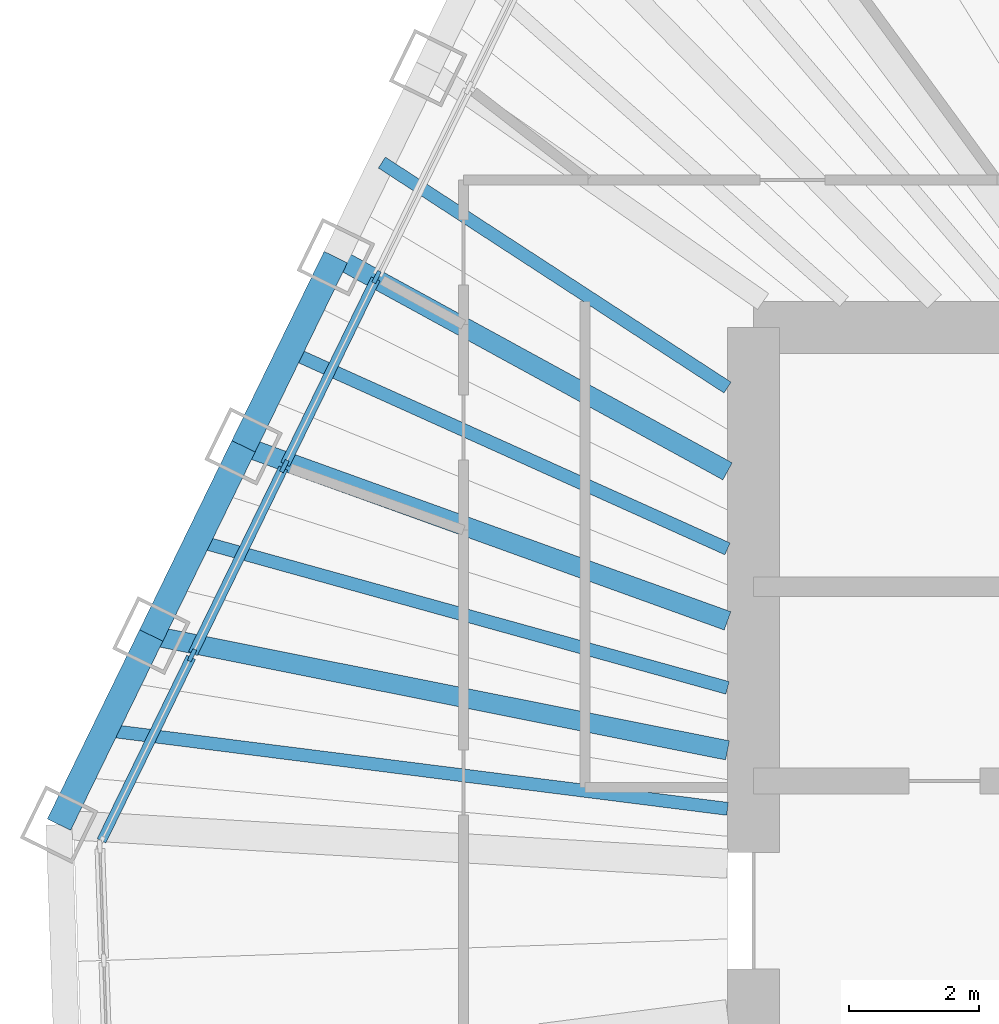
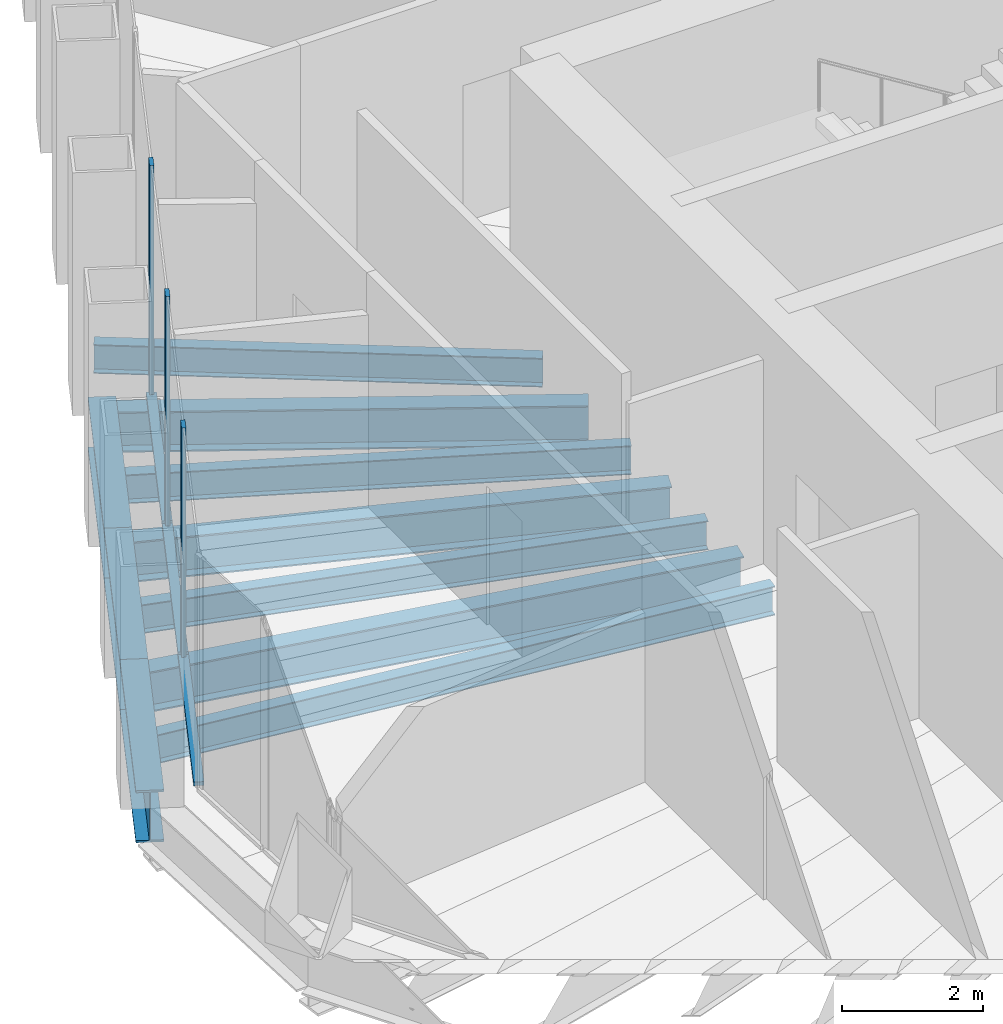
# One storey, part 4 of 14: 10 beams, 6 members, 1 element without a shape of its own.
"""IFC4 building model written with IfcOpenShell, lengths in metres."""

from ifc_helpers import new_model, si_unit, direction, frame, origin, origin_2d, place, context, subcontext, project, spatial, rectangle, i_section, extrude, material, material_profile, profile_set, type_object, element, aggregate, save


model = new_model("IFC4")

# Units and contexts
model_context = context("Model", 3, precision=1e-05, world=origin(), true_north=direction((0.0, 1.0)))
body_context = subcontext(model_context, "Body", "Model", "MODEL_VIEW")
ifc_project = project(units=[si_unit("LENGTHUNIT", "METRE"), si_unit("AREAUNIT", "SQUARE_METRE"), si_unit("VOLUMEUNIT", "CUBIC_METRE"), si_unit("PLANEANGLEUNIT", "RADIAN"), si_unit("MASSUNIT", "GRAM", prefix="KILO")], contexts=[model_context])

# Site, building, storey
site_placement = place(None, origin())
site = spatial("IfcSite", under=ifc_project, at=site_placement, CompositionType="ELEMENT")
building_placement = place(site_placement, origin())
building = spatial("IfcBuilding", under=site, at=building_placement, Name="Qingtian Harvest Tower", CompositionType="ELEMENT")
storey_placement = place(building_placement, frame((0.0, 0.0, 316.60009765625)))
storey = spatial("IfcBuildingStorey", under=building, at=storey_placement, Name="L70", CompositionType="ELEMENT", Elevation=316.60009765625)

# Beams
ifc_material_1 = material(Name="Steel SN490B", Category="steel")
ifc_material_profile_1 = material_profile(ifc_material_1, i_section(OverallWidth=0.300048828125, OverallDepth=0.699951171875, WebThickness=0.012939453125, FlangeThickness=0.02392578125, at=origin_2d()), Name="H700x300x13x24")
ifc_profile_set_1 = profile_set([ifc_material_profile_1], Name="Steel SN490B")
beam_type_1 = type_object("IfcBeamType", Name="Floor beam FB4 H700x300x13x24", PredefinedType="BEAM", material=ifc_profile_set_1)
beam_1_placement = place(storey_placement, frame((-21.29345703125, 4.246337890625, -0.52001953125), z_axis=(0.980692343585, -0.195556966723, 0.0), x_axis=(0.195556966723, 0.980692343585, 0.0)))
element("IfcBeam", 1, at=beam_1_placement, inside=storey, type_object=beam_type_1, Name="Floor beam FB4 NW1", PredefinedType="BEAM", context=body_context, shape_type="SweptSolid", body=[
    extrude(i_section(OverallWidth=0.300048828125, OverallDepth=0.699951171875, WebThickness=0.012939453125, FlangeThickness=0.02392578125, at=origin_2d()), origin(), (0.0, 0.0, 1.0), 9.068603515625),
])
beam_2_placement = place(storey_placement, frame((-19.86962890625, 7.165771484375, -0.52001953125), z_axis=(0.940696778834, -0.339248537641, 0.0), x_axis=(0.339248537641, 0.940696778834, 0.0)))
element("IfcBeam", 2, at=beam_2_placement, inside=storey, type_object=beam_type_1, Name="Floor beam FB4 NW2", PredefinedType="BEAM", context=body_context, shape_type="SweptSolid", body=[
    extrude(i_section(OverallWidth=0.300048828125, OverallDepth=0.699951171875, WebThickness=0.012939453125, FlangeThickness=0.02392578125, at=origin_2d()), origin(), (0.0, 0.0, 1.0), 7.940673828125),
])
beam_3_placement = place(storey_placement, frame((-18.44580078125, 10.0849609375, -0.52001953125), z_axis=(0.877427999734, -0.479708354402, 0.0), x_axis=(0.479708354402, 0.877427999734, 0.0)))
element("IfcBeam", 3, at=beam_3_placement, inside=storey, type_object=beam_type_1, Name="Floor beam FB4 NW3", PredefinedType="BEAM", context=body_context, shape_type="SweptSolid", body=[
    extrude(i_section(OverallWidth=0.300048828125, OverallDepth=0.699951171875, WebThickness=0.012939453125, FlangeThickness=0.02392578125, at=origin_2d()), origin(), (0.0, 0.0, 1.0), 6.890380859375),
])
ifc_material_2 = material(Name="Steel SN490B", Category="steel")
ifc_material_profile_2 = material_profile(ifc_material_2, i_section(OverallWidth=0.199951171875, OverallDepth=0.5, WebThickness=0.010009765625, FlangeThickness=0.01611328125, at=origin_2d()), Name="H500x200x10x16")
ifc_profile_set_2 = profile_set([ifc_material_profile_2], Name="Steel SN490B")
beam_type_2 = type_object("IfcBeamType", Name="Floor joist J3 H500x200x10x16", PredefinedType="JOIST", material=ifc_profile_set_2)
beam_4_placement = place(storey_placement, frame((-22.00537109375, 2.78662109375, -0.420166015625), z_axis=(0.992077984062, -0.125623538954, 0.0), x_axis=(0.125623538954, 0.992077984062, 0.0)))
element("IfcBeam", 4, at=beam_4_placement, inside=storey, type_object=beam_type_2, Name="Floor joist J3 NW0", PredefinedType="JOIST", context=body_context, shape_type="SweptSolid", body=[
    extrude(i_section(OverallWidth=0.199951171875, OverallDepth=0.5, WebThickness=0.010009765625, FlangeThickness=0.01611328125, at=origin_2d()), origin(), (0.0, 0.0, 1.0), 9.68212890625),
])
beam_5_placement = place(storey_placement, frame((-20.58154296875, 5.7060546875, -0.420166015625), z_axis=(0.963650445063, -0.267166277306, 0.0), x_axis=(0.267166277306, 0.963650445063, 0.0)))
element("IfcBeam", 5, at=beam_5_placement, inside=storey, type_object=beam_type_2, Name="Floor joist J3 NW1", PredefinedType="JOIST", context=body_context, shape_type="SweptSolid", body=[
    extrude(i_section(OverallWidth=0.199951171875, OverallDepth=0.5, WebThickness=0.010009765625, FlangeThickness=0.01611328125, at=origin_2d()), origin(), (0.0, 0.0, 1.0), 8.490234375),
])
beam_6_placement = place(storey_placement, frame((-19.15771484375, 8.625244140625, -0.420166015625), z_axis=(0.911847523905, -0.410529040567, 0.0), x_axis=(0.410529040567, 0.911847523905, 0.0)))
element("IfcBeam", 6, at=beam_6_placement, inside=storey, type_object=beam_type_2, Name="Floor joist J3 NW2", PredefinedType="JOIST", context=body_context, shape_type="SweptSolid", body=[
    extrude(i_section(OverallWidth=0.199951171875, OverallDepth=0.5, WebThickness=0.010009765625, FlangeThickness=0.01611328125, at=origin_2d()), origin(), (0.0, 0.0, 1.0), 7.4111328125),
])
beam_7_placement = place(storey_placement, frame((-17.73388671875, 11.544677734375, -0.420166015625), z_axis=(0.83806130614, -0.545576069079, 0.0), x_axis=(0.545576069079, 0.83806130614, 0.0)))
element("IfcBeam", 7, at=beam_7_placement, inside=storey, type_object=beam_type_2, Name="Floor joist J3 NW3", PredefinedType="JOIST", context=body_context, shape_type="SweptSolid", body=[
    extrude(i_section(OverallWidth=0.199951171875, OverallDepth=0.5, WebThickness=0.010009765625, FlangeThickness=0.01611328125, at=origin_2d()), origin(), (0.0, 0.0, 1.0), 6.36474609375),
])

# Curtain wall, members
ifc_material_3 = material(Name="Bronze-anodised aluminium curtain wall", Category="aluminium")
curtain_wall_type = type_object("IfcCurtainWallType", Name="Curtain wall CW5 upper office", PredefinedType="USERDEFINED", material=ifc_material_3)
curtain_wall_placement = place(storey_placement, origin())
curtain_wall = element("IfcCurtainWall", 8, at=curtain_wall_placement, inside=storey, type_object=curtain_wall_type, Name="Curtain wall CW5 L70 NW0-5", ObjectType="RECESSED CURTAIN WALL", PredefinedType="USERDEFINED")
ifc_material_4 = material(Name="Bronze-anodised aluminium mullion", Category="aluminium")
ifc_material_profile_3 = material_profile(ifc_material_4, rectangle(XDim=0.06494140625, YDim=0.199951171875, at=origin_2d()), Name="AL 65x200")
ifc_profile_set_3 = profile_set([ifc_material_profile_3], Name="Bronze-anodised aluminium mullion")
member_type_1 = type_object("IfcMemberType", Name="Mullion CWM 65x200", PredefinedType="MULLION", material=ifc_profile_set_3)
member_1_placement = place(storey_placement, frame((-20.664306640625, 3.939453125, 0.0), z_axis=(0.0, 0.0, 1.0), x_axis=(-0.898794046299, 0.438371146789, 0.0)))
member_1 = element("IfcMember", 9, at=member_1_placement, type_object=member_type_1, Name="CW5 mullion 2", PredefinedType="MULLION", context=body_context, shape_type="SweptSolid", body=[
    extrude(rectangle(XDim=0.06494140625, YDim=0.199951171875, at=origin_2d()), origin(), (0.0, 0.0, 1.0), 4.02978515625),
])
member_2_placement = place(storey_placement, frame((-19.240478515625, 6.85888671875, 0.0), z_axis=(0.0, 0.0, 1.0), x_axis=(-0.898794046299, 0.438371146789, 0.0)))
member_2 = element("IfcMember", 10, at=member_2_placement, type_object=member_type_1, Name="CW5 mullion 3", PredefinedType="MULLION", context=body_context, shape_type="SweptSolid", body=[
    extrude(rectangle(XDim=0.06494140625, YDim=0.199951171875, at=origin_2d()), origin(), (0.0, 0.0, 1.0), 4.02978515625),
])
member_3_placement = place(storey_placement, frame((-17.816650390625, 9.778076171875, 0.0), z_axis=(0.0, 0.0, 1.0), x_axis=(-0.898794046299, 0.438371146789, 0.0)))
member_3 = element("IfcMember", 11, at=member_3_placement, type_object=member_type_1, Name="CW5 mullion 4", PredefinedType="MULLION", context=body_context, shape_type="SweptSolid", body=[
    extrude(rectangle(XDim=0.06494140625, YDim=0.199951171875, at=origin_2d()), origin(), (0.0, 0.0, 1.0), 4.02978515625),
])

# Beams
ifc_material_5 = material(Name="Steel SN490B", Category="steel")
ifc_material_profile_4 = material_profile(ifc_material_5, i_section(OverallWidth=0.39990234375, OverallDepth=0.89990234375, WebThickness=0.01904296875, FlangeThickness=0.035888671875, at=origin_2d()), Name="H900x400x19x36")
ifc_profile_set_4 = profile_set([ifc_material_profile_4], Name="Steel SN490B")
beam_type_3 = type_object("IfcBeamType", Name="Spandrel beam SB4 H900x400x19x36", PredefinedType="SPANDREL", material=ifc_profile_set_4)
beam_8_placement = place(storey_placement, frame((-22.71728515625, 1.3271484375, -0.4501953125), z_axis=(0.438382164311, 0.898788672611, 0.0), x_axis=(-0.898788672611, 0.438382164311, 0.0)))
element("IfcBeam", 12, at=beam_8_placement, inside=storey, type_object=beam_type_3, Name="Spandrel SB4 NW0", PredefinedType="SPANDREL", context=body_context, shape_type="SweptSolid", body=[
    extrude(i_section(OverallWidth=0.39990234375, OverallDepth=0.89990234375, WebThickness=0.01904296875, FlangeThickness=0.035888671875, at=origin_2d()), origin(), (0.0, 0.0, 1.0), 3.247802734375),
])
beam_9_placement = place(storey_placement, frame((-21.29345703125, 4.246337890625, -0.4501953125), z_axis=(0.438352548749, 0.898803116931, 0.0), x_axis=(-0.898803116931, 0.438352548749, 0.0)))
element("IfcBeam", 13, at=beam_9_placement, inside=storey, type_object=beam_type_3, Name="Spandrel SB4 NW1", PredefinedType="SPANDREL", context=body_context, shape_type="SweptSolid", body=[
    extrude(i_section(OverallWidth=0.39990234375, OverallDepth=0.89990234375, WebThickness=0.01904296875, FlangeThickness=0.035888671875, at=origin_2d()), origin(), (0.0, 0.0, 1.0), 3.248046875),
])
beam_10_placement = place(storey_placement, frame((-19.86962890625, 7.165771484375, -0.4501953125), z_axis=(0.438382164311, 0.898788672611, 0.0), x_axis=(-0.898788672611, 0.438382164311, 0.0)))
element("IfcBeam", 14, at=beam_10_placement, inside=storey, type_object=beam_type_3, Name="Spandrel SB4 NW2", PredefinedType="SPANDREL", context=body_context, shape_type="SweptSolid", body=[
    extrude(i_section(OverallWidth=0.39990234375, OverallDepth=0.89990234375, WebThickness=0.01904296875, FlangeThickness=0.035888671875, at=origin_2d()), origin(), (0.0, 0.0, 1.0), 3.247802734375),
])

# Member
ifc_material_6 = material(Name="Bronze-anodised aluminium transom", Category="aluminium")
ifc_material_profile_5 = material_profile(ifc_material_6, rectangle(XDim=0.14990234375, YDim=0.06494140625, at=origin_2d()), Name="AL 65x150")
ifc_profile_set_5 = profile_set([ifc_material_profile_5], Name="Bronze-anodised aluminium transom")
member_type_2 = type_object("IfcMemberType", Name="Transom CWT 65x150", PredefinedType="USERDEFINED", material=ifc_profile_set_5)
member_4_placement = place(storey_placement, frame((-22.059814453125, 1.07861328125, 0.032470703125), z_axis=(0.438357982629, 0.89880046677, 0.0), x_axis=(-0.89880046677, 0.438357982629, 0.0)))
member_4 = element("IfcMember", 15, at=member_4_placement, type_object=member_type_2, Name="CW5 transom 1.1", ObjectType="TRANSOM", PredefinedType="USERDEFINED", context=body_context, shape_type="SweptSolid", body=[
    extrude(rectangle(XDim=0.14990234375, YDim=0.06494140625, at=origin_2d()), origin(), (0.0, 0.0, 1.0), 3.150634765625),
])

member_5_placement = place(storey_placement, frame((-20.650146484375, 3.96875, 0.032470703125), z_axis=(0.438355626738, 0.898801615768, 0.0), x_axis=(-0.898801615768, 0.438355626738, 0.0)))
member_5 = element("IfcMember", 16, at=member_5_placement, type_object=member_type_2, Name="CW5 transom 2.1", ObjectType="TRANSOM", PredefinedType="USERDEFINED", context=body_context, shape_type="SweptSolid", body=[
    extrude(rectangle(XDim=0.14990234375, YDim=0.06494140625, at=origin_2d()), origin(), (0.0, 0.0, 1.0), 3.182861328125),
])

member_6_placement = place(storey_placement, frame((-19.226318359375, 6.887939453125, 0.032470703125), z_axis=(0.438325408134, 0.898816353091, 0.0), x_axis=(-0.898816353091, 0.438325408134, 0.0)))
member_6 = element("IfcMember", 17, at=member_6_placement, type_object=member_type_2, Name="CW5 transom 3.1", ObjectType="TRANSOM", PredefinedType="USERDEFINED", context=body_context, shape_type="SweptSolid", body=[
    extrude(rectangle(XDim=0.14990234375, YDim=0.06494140625, at=origin_2d()), origin(), (0.0, 0.0, 1.0), 3.18310546875),
])

aggregate(curtain_wall, [member_1, member_2, member_3, member_4, member_5, member_6])

save(model, "model.ifc")
